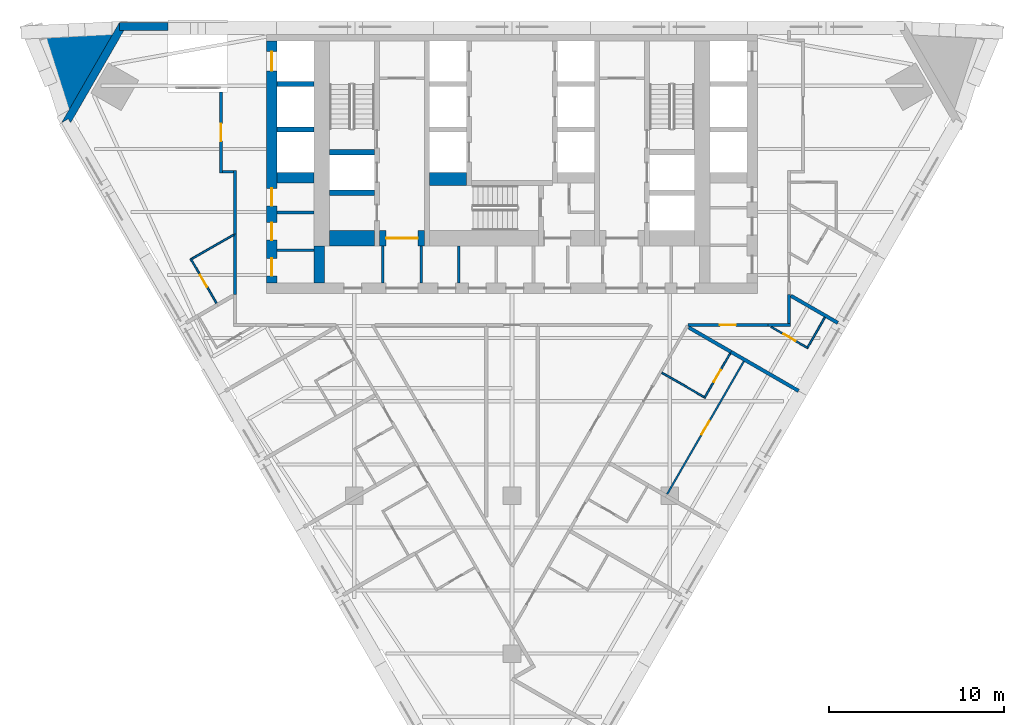
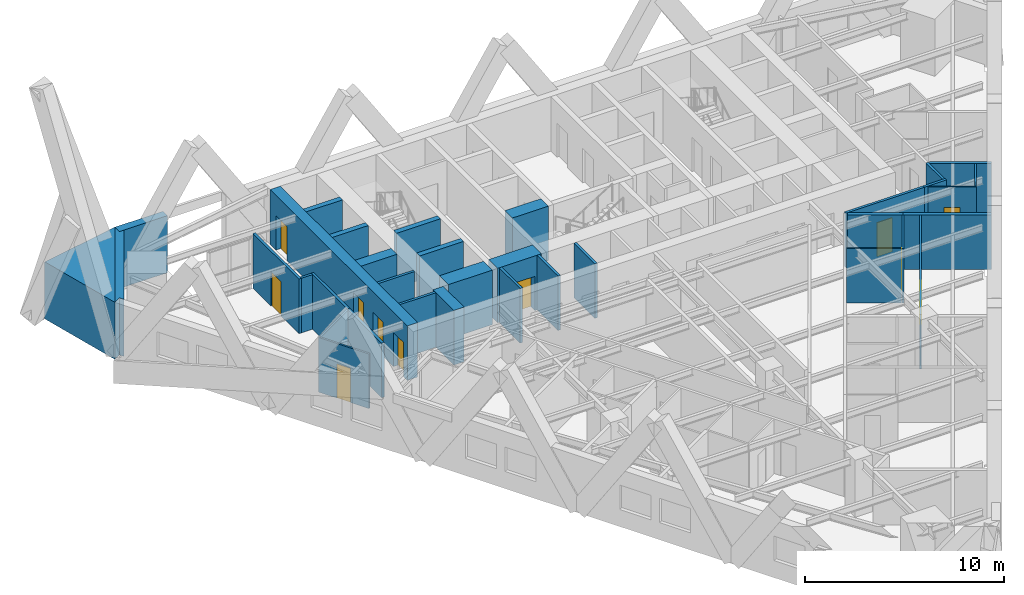
# One storey, part 6 of 11: 35 walls, 11 doors, 11 openings.
"""IFC4 building model written with IfcOpenShell, lengths in metres."""

from ifc_helpers import new_model, si_unit, direction, frame, frame_2d, origin, place, context, subcontext, project, spatial, polyline, rectangle, outline, extrude, material, layer, layer_set, type_object, element, fill, save


model = new_model("IFC4")

# Units and contexts
model_context = context("Model", 3, precision=1e-05, world=origin(), true_north=direction((0.0, 1.0)))
body_context = subcontext(model_context, "Body", "Model", "MODEL_VIEW")
ifc_project = project(units=[si_unit("LENGTHUNIT", "METRE"), si_unit("AREAUNIT", "SQUARE_METRE"), si_unit("VOLUMEUNIT", "CUBIC_METRE"), si_unit("PLANEANGLEUNIT", "RADIAN"), si_unit("MASSUNIT", "GRAM", prefix="KILO")], contexts=[model_context])

# Site, building, storey
site_placement = place(None, origin())
site = spatial("IfcSite", under=ifc_project, at=site_placement, CompositionType="ELEMENT")
building_placement = place(site_placement, origin())
building = spatial("IfcBuilding", under=site, at=building_placement, Name="Aloe Facet Convention Tower", CompositionType="ELEMENT")
storey_placement = place(building_placement, frame((0.0, 0.0, 49.0)))
storey = spatial("IfcBuildingStorey", under=building, at=storey_placement, Name="L10", CompositionType="ELEMENT", Elevation=49.0)

# Walls
ifc_material_1 = material(Name="Concrete blockwork partition", Category="masonry")
ifc_layer_1 = layer(ifc_material_1, 0.14990234375)
ifc_layer_set_1 = layer_set([ifc_layer_1], Name="CR-W-PART150")
wall_type_1 = type_object("IfcWallType", Name="CR-W-PART150", PredefinedType="PARTITIONING", material=ifc_layer_set_1)
for number, where, z_axis, x_axis, name in (
    (1, (66.60009765625, 124.16455078125, 0.0), (0.0, 0.0, 1.0), (1.0, 0.0, 0.0), "Core partition L10-007"),
    (2, (66.60009765625, 122.02490234375, 0.0), (0.0, 0.0, 1.0), (1.0, 0.0, 0.0), "Core partition L10-008"),
):
    element("IfcWall", number, at=place(storey_placement, frame(where, z_axis=z_axis, x_axis=x_axis)), inside=storey, type_object=wall_type_1, Name=name, PredefinedType="PARTITIONING", context=body_context, shape_type="SweptSolid", body=[
        extrude(rectangle(XDim=2.099853515625, YDim=0.14990234375, at=frame_2d((1.0498046875, 0.0))), origin(), (0.0, 0.0, 1.0), 3.35009765625),
    ])
for number, where, z_axis, x_axis, name in (
    (3, (72.625, 122.25, 0.0), (0.0, 0.0, 1.0), (0.0, -1.0, 0.0), "Core partition L10-017"),
    (4, (74.824951171875, 122.25, 0.0), (0.0, 0.0, 1.0), (0.0, -1.0, 0.0), "Core partition L10-018"),
    (5, (76.958251953125, 122.25, 0.0), (0.0, 0.0, 1.0), (0.0, -1.0, 0.0), "Core partition L10-024"),
):
    element("IfcWall", number, at=place(storey_placement, frame(where, z_axis=z_axis, x_axis=x_axis)), inside=storey, type_object=wall_type_1, Name=name, PredefinedType="PARTITIONING", context=body_context, shape_type="SweptSolid", body=[
        extrude(rectangle(XDim=2.10009765625, YDim=0.14990234375, at=frame_2d((1.050048828125, 0.0))), origin(), (0.0, 0.0, 1.0), 3.35009765625),
    ])
ifc_material_2 = material(Name="Concrete C80/95", Category="concrete")
ifc_layer_2 = layer(ifc_material_2, 0.300048828125)
ifc_layer_set_2 = layer_set([ifc_layer_2], Name="CR-W-RC300-C8095")
wall_type_2 = type_object("IfcWallType", Name="CR-W-RC300-C8095", PredefinedType="SOLIDWALL", material=ifc_layer_set_2)
for number, where, z_axis, x_axis, name in (
    (6, (66.60009765625, 131.5, 0.0), (0.0, 0.0, 1.0), (1.0, 0.0, 0.0), "Core wall L10-004"),
    (7, (66.60009765625, 128.89990234375, 0.0), (0.0, 0.0, 1.0), (1.0, 0.0, 0.0), "Core wall L10-005"),
):
    element("IfcWall", number, at=place(storey_placement, frame(where, z_axis=z_axis, x_axis=x_axis)), inside=storey, type_object=wall_type_2, Name=name, PredefinedType="SOLIDWALL", context=body_context, shape_type="SweptSolid", body=[
        extrude(rectangle(XDim=2.099853515625, YDim=0.300048828125, at=frame_2d((1.0498046875, 0.0))), origin(), (0.0, 0.0, 1.0), 3.35009765625),
    ])
for number, where, z_axis, x_axis, name in (
    (8, (69.60009765625, 127.60009765625, 0.0), (0.0, 0.0, 1.0), (1.0, 0.0, 0.0), "Core wall L10-011"),
    (9, (69.60009765625, 125.300048828125, 0.0), (0.0, 0.0, 1.0), (1.0, 0.0, 0.0), "Core wall L10-012"),
):
    element("IfcWall", number, at=place(storey_placement, frame(where, z_axis=z_axis, x_axis=x_axis)), inside=storey, type_object=wall_type_2, Name=name, PredefinedType="SOLIDWALL", context=body_context, shape_type="SweptSolid", body=[
        extrude(rectangle(XDim=2.5498046875, YDim=0.300048828125, at=frame_2d((1.27490234375, 0.0))), origin(), (0.0, 0.0, 1.0), 3.35009765625),
    ])

# Wall, openings, doors
ifc_material_3 = material(Name="Concrete C80/95", Category="concrete")
ifc_layer_3 = layer(ifc_material_3, 0.60009765625)
ifc_layer_set_3 = layer_set([ifc_layer_3], Name="CR-W-RC600-C8095")
wall_type_3 = type_object("IfcWallType", Name="CR-W-RC600-C8095", PredefinedType="SOLIDWALL", material=ifc_layer_set_3)
wall_1_placement = place(storey_placement, frame((66.300048828125, 133.949951171875, 0.0), z_axis=(0.0, 0.0, 1.0), x_axis=(0.0, -1.0, 0.0)))
wall_1 = element("IfcWall", 10, at=wall_1_placement, inside=storey, type_object=wall_type_3, Name="Core wall L10-002", PredefinedType="SOLIDWALL", context=body_context, shape_type="SweptSolid", body=[
    extrude(rectangle(XDim=13.800048828125, YDim=0.60009765625, at=frame_2d((6.89990234375, 0.0))), origin(), (0.0, 0.0, 1.0), 3.35009765625),
])
opening_1_placement = place(wall_1_placement, frame((0.60009765625, 0.0, 0.0)))
opening_1 = element("IfcOpeningElement", 11, at=opening_1_placement, cuts=wall_1, Name="Opening LD-A7-L10", PredefinedType="OPENING", context=body_context, shape_type="SweptSolid", body=[
    extrude(rectangle(XDim=1.10009765625, YDim=2.10009765625, at=frame_2d((0.550048828125, 1.050048828125))), frame((0.0, 0.31005859375, 0.0), z_axis=(0.0, -1.0, 0.0), x_axis=(1.0, 0.0, 0.0)), (0.0, 0.0, 1.0), 0.6201171875),
])
opening_2_placement = place(wall_1_placement, frame((8.4052734375, 0.0, 0.0)))
opening_2 = element("IfcOpeningElement", 12, at=opening_2_placement, cuts=wall_1, Name="Opening L10-CD35", PredefinedType="OPENING", context=body_context, shape_type="SweptSolid", body=[
    extrude(rectangle(XDim=1.0, YDim=2.10009765625, at=frame_2d((0.5, 1.050048828125))), frame((0.0, 0.31005859375, 0.0), z_axis=(0.0, -1.0, 0.0), x_axis=(1.0, 0.0, 0.0)), (0.0, 0.0, 1.0), 0.6201171875),
])
opening_3_placement = place(wall_1_placement, frame((10.355224609375, 0.0, 0.0)))
opening_3 = element("IfcOpeningElement", 13, at=opening_3_placement, cuts=wall_1, Name="Opening L10-CD36", PredefinedType="OPENING", context=body_context, shape_type="SweptSolid", body=[
    extrude(rectangle(XDim=1.0, YDim=2.10009765625, at=frame_2d((0.5, 1.050048828125))), frame((0.0, 0.31005859375, 0.0), z_axis=(0.0, -1.0, 0.0), x_axis=(1.0, 0.0, 0.0)), (0.0, 0.0, 1.0), 0.6201171875),
])
opening_4_placement = place(wall_1_placement, frame((12.39990234375, 0.0, 0.0)))
opening_4 = element("IfcOpeningElement", 14, at=opening_4_placement, cuts=wall_1, Name="Opening L10-CD37", PredefinedType="OPENING", context=body_context, shape_type="SweptSolid", body=[
    extrude(rectangle(XDim=1.0, YDim=2.10009765625, at=frame_2d((0.5, 1.050048828125))), frame((0.0, 0.31005859375, 0.0), z_axis=(0.0, -1.0, 0.0), x_axis=(1.0, 0.0, 0.0)), (0.0, 0.0, 1.0), 0.6201171875),
])
ifc_material_4 = material(Name="Steel fire-resisting door set FD60", Category="steel")
door_type_1 = type_object("IfcDoorType", Name="CR-D-ROOM-1000-FD60-SLEFT", OperationType="SINGLE_SWING_LEFT", PredefinedType="DOOR", material=ifc_material_4)
door_1_placement = place(opening_2_placement, origin())
door_1 = element("IfcDoor", 15, at=door_1_placement, inside=storey, type_object=door_type_1, Name="Core door L10-CD35", OperationType="SINGLE_SWING_LEFT", OverallHeight=2.10009765625, OverallWidth=1.0, PredefinedType="DOOR", context=body_context, shape_type="SweptSolid", body=[
    extrude(rectangle(XDim=1.0, YDim=2.10009765625, at=frame_2d((0.5, 1.050048828125))), frame((0.0, 0.02490234375, 0.0), z_axis=(0.0, -1.0, 0.0), x_axis=(1.0, 0.0, 0.0)), (0.0, 0.0, 1.0), 0.050048828125),
])
fill(opening_2, door_1)
door_2_placement = place(opening_3_placement, origin())
door_2 = element("IfcDoor", 16, at=door_2_placement, inside=storey, type_object=door_type_1, Name="Core door L10-CD36", OperationType="SINGLE_SWING_LEFT", OverallHeight=2.10009765625, OverallWidth=1.0, PredefinedType="DOOR", context=body_context, shape_type="SweptSolid", body=[
    extrude(rectangle(XDim=1.0, YDim=2.10009765625, at=frame_2d((0.5, 1.050048828125))), frame((0.0, 0.02490234375, 0.0), z_axis=(0.0, -1.0, 0.0), x_axis=(1.0, 0.0, 0.0)), (0.0, 0.0, 1.0), 0.050048828125),
])
fill(opening_3, door_2)
door_3_placement = place(opening_4_placement, origin())
door_3 = element("IfcDoor", 17, at=door_3_placement, inside=storey, type_object=door_type_1, Name="Core door L10-CD37", OperationType="SINGLE_SWING_LEFT", OverallHeight=2.10009765625, OverallWidth=1.0, PredefinedType="DOOR", context=body_context, shape_type="SweptSolid", body=[
    extrude(rectangle(XDim=1.0, YDim=2.10009765625, at=frame_2d((0.5, 1.050048828125))), frame((0.0, 0.02490234375, 0.0), z_axis=(0.0, -1.0, 0.0), x_axis=(1.0, 0.0, 0.0)), (0.0, 0.0, 1.0), 0.050048828125),
])
fill(opening_4, door_3)
ifc_material_5 = material(Name="Stainless steel sliding landing door", Category="steel")
door_type_2 = type_object("IfcDoorType", Name="CR-LD-1100-FD60-_LEFT", OperationType="SLIDING_TO_LEFT", PredefinedType="DOOR", material=ifc_material_5)
door_4_placement = place(opening_1_placement, origin())
door_4 = element("IfcDoor", 18, at=door_4_placement, inside=storey, type_object=door_type_2, Name="Landing door A7 L10", OperationType="SLIDING_TO_LEFT", OverallHeight=2.10009765625, OverallWidth=1.10009765625, PredefinedType="DOOR", context=body_context, shape_type="SweptSolid", body=[
    extrude(rectangle(XDim=1.10009765625, YDim=2.10009765625, at=frame_2d((0.550048828125, 1.050048828125))), frame((0.0, 0.02490234375, 0.0), z_axis=(0.0, -1.0, 0.0), x_axis=(1.0, 0.0, 0.0)), (0.0, 0.0, 1.0), 0.050048828125),
])
fill(opening_1, door_4)

# Walls
wall_2_placement = place(storey_placement, frame((66.60009765625, 126.14990234375, 0.0), z_axis=(0.0, 0.0, 1.0), x_axis=(1.0, 0.0, 0.0)))
element("IfcWall", 19, at=wall_2_placement, inside=storey, type_object=wall_type_3, Name="Core wall L10-006", PredefinedType="SOLIDWALL", context=body_context, shape_type="SweptSolid", body=[
    extrude(rectangle(XDim=2.099853515625, YDim=0.60009765625, at=frame_2d((1.0498046875, 0.0))), origin(), (0.0, 0.0, 1.0), 3.35009765625),
])
wall_3_placement = place(storey_placement, frame((69.0, 122.25, 0.0), z_axis=(0.0, 0.0, 1.0), x_axis=(0.0, -1.0, 0.0)))
element("IfcWall", 20, at=wall_3_placement, inside=storey, type_object=wall_type_3, Name="Core wall L10-010", PredefinedType="SOLIDWALL", context=body_context, shape_type="SweptSolid", body=[
    extrude(rectangle(XDim=2.10009765625, YDim=0.60009765625, at=frame_2d((1.050048828125, 0.0))), origin(), (0.0, 0.0, 1.0), 3.35009765625),
])
ifc_material_6 = material(Name="Concrete C80/95", Category="concrete")
ifc_layer_4 = layer(ifc_material_6, 0.75)
ifc_layer_set_4 = layer_set([ifc_layer_4], Name="CR-W-RC750-C8095")
wall_type_4 = type_object("IfcWallType", Name="CR-W-RC750-C8095", PredefinedType="SOLIDWALL", material=ifc_layer_set_4)
wall_4_placement = place(storey_placement, frame((75.300048828125, 126.074951171875, 0.0), z_axis=(0.0, 0.0, 1.0), x_axis=(1.0, 0.0, 0.0)))
element("IfcWall", 21, at=wall_4_placement, inside=storey, type_object=wall_type_4, Name="Core wall L10-022", PredefinedType="SOLIDWALL", context=body_context, shape_type="SweptSolid", body=[
    extrude(rectangle(XDim=2.099853515625, YDim=0.75, at=frame_2d((1.0498046875, 0.0))), origin(), (0.0, 0.0, 1.0), 3.35009765625),
])
ifc_material_7 = material(Name="Concrete C80/95", Category="concrete")
ifc_layer_5 = layer(ifc_material_7, 0.89990234375)
ifc_layer_set_5 = layer_set([ifc_layer_5], Name="CR-W-RC900-C8095")
wall_type_5 = type_object("IfcWallType", Name="CR-W-RC900-C8095", PredefinedType="SOLIDWALL", material=ifc_layer_set_5)
wall_5_placement = place(storey_placement, frame((69.60009765625, 122.699951171875, 0.0), z_axis=(0.0, 0.0, 1.0), x_axis=(1.0, 0.0, 0.0)))
element("IfcWall", 22, at=wall_5_placement, inside=storey, type_object=wall_type_5, Name="Core wall L10-013", PredefinedType="SOLIDWALL", context=body_context, shape_type="SweptSolid", body=[
    extrude(rectangle(XDim=2.5498046875, YDim=0.89990234375, at=frame_2d((1.27490234375, 0.0))), origin(), (0.0, 0.0, 1.0), 3.35009765625),
])

# Wall, opening, door
wall_6_placement = place(storey_placement, frame((72.449951171875, 122.699951171875, 0.0), z_axis=(0.0, 0.0, 1.0), x_axis=(1.0, 0.0, 0.0)))
wall_6 = element("IfcWall", 23, at=wall_6_placement, inside=storey, type_object=wall_type_5, Name="Core wall L10-016", PredefinedType="SOLIDWALL", context=body_context, shape_type="SweptSolid", body=[
    extrude(rectangle(XDim=2.550048828125, YDim=0.89990234375, at=frame_2d((1.27490234375, 0.0))), origin(), (0.0, 0.0, 1.0), 3.35009765625),
])
opening_5_placement = place(wall_6_placement, frame((0.375, 0.0, 0.0)))
opening_5 = element("IfcOpeningElement", 24, at=opening_5_placement, cuts=wall_6, Name="Opening L10-CD15", PredefinedType="OPENING", context=body_context, shape_type="SweptSolid", body=[
    extrude(rectangle(XDim=1.800048828125, YDim=2.10009765625, at=frame_2d((0.89990234375, 1.050048828125))), frame((0.0, 0.4599609375, 0.0), z_axis=(0.0, -1.0, 0.0), x_axis=(1.0, 0.0, 0.0)), (0.0, 0.0, 1.0), 0.919921875),
])
ifc_material_8 = material(Name="Steel fire-resisting door set FD120", Category="steel")
door_type_3 = type_object("IfcDoorType", Name="CR-D-EXIT-1800-FD120-DD", OperationType="DOUBLE_DOOR_DOUBLE_SWING", PredefinedType="DOOR", material=ifc_material_8)
door_5_placement = place(opening_5_placement, origin())
door_5 = element("IfcDoor", 25, at=door_5_placement, inside=storey, type_object=door_type_3, Name="Core door L10-CD15", OperationType="DOUBLE_DOOR_DOUBLE_SWING", OverallHeight=2.10009765625, OverallWidth=1.800048828125, PredefinedType="DOOR", context=body_context, shape_type="SweptSolid", body=[
    extrude(rectangle(XDim=1.800048828125, YDim=2.10009765625, at=frame_2d((0.89990234375, 1.050048828125))), frame((0.0, 0.02490234375, 0.0), z_axis=(0.0, -1.0, 0.0), x_axis=(1.0, 0.0, 0.0)), (0.0, 0.0, 1.0), 0.050048828125),
])
fill(opening_5, door_5)

# Walls
ifc_material_9 = material(Name="Precast concrete C40/50", Category="concrete")
ifc_layer_6 = layer(ifc_material_9, 0.449951171875)
ifc_layer_set_6 = layer_set([ifc_layer_6], Name="EV-WALL-PIER")
wall_type_6 = type_object("IfcWallType", Name="EV-WALL-PIER", PredefinedType="SOLIDWALL", material=ifc_layer_set_6)
wall_7_placement = place(storey_placement, frame((0.0, 0.0, -0.14990234375)))
element("IfcWall", 26, at=wall_7_placement, inside=storey, type_object=wall_type_6, Name="EP-L10-A", PredefinedType="SOLIDWALL", context=body_context, shape_type="SweptSolid", body=[
    extrude(outline(polyline([(57.60009765625, 135.0), (57.60009765625, 134.550048828125), (57.85986328125, 134.550048828125), (54.819580078125, 129.2841796875), (54.689697265625, 129.50927734375), (54.300048828125, 129.2841796875), (57.60009765625, 135.0)])), origin(), (0.0, 0.0, 1.0), 3.5),
])
ifc_material_10 = material(Name="Precast concrete C40/50", Category="concrete")
ifc_layer_7 = layer(ifc_material_10, 3.947998046875)
ifc_layer_set_7 = layer_set([ifc_layer_7], Name="EV-WALL-SPINE")
wall_type_7 = type_object("IfcWallType", Name="EV-WALL-SPINE", PredefinedType="SOLIDWALL", material=ifc_layer_set_7)
wall_8_placement = place(storey_placement, frame((0.0, 0.0, -0.14990234375)))
element("IfcWall", 27, at=wall_8_placement, inside=storey, type_object=wall_type_7, Name="SP-NW-L10", PredefinedType="SOLIDWALL", context=body_context, shape_type="SweptSolid", body=[
    extrude(outline(polyline([(57.60009765625, 135.0), (53.01904296875, 134.13623046875), (54.300048828125, 129.2841796875), (57.60009765625, 135.0)])), origin(), (0.0, 0.0, 1.0), 3.5),
])
ifc_material_11 = material(Name="Precast concrete C40/50", Category="concrete")
ifc_layer_8 = layer(ifc_material_11, 0.449951171875)
ifc_layer_set_8 = layer_set([ifc_layer_8], Name="EV-WALL-STONE")
wall_type_8 = type_object("IfcWallType", Name="EV-WALL-STONE", PredefinedType="SOLIDWALL", material=ifc_layer_set_8)
wall_9_placement = place(storey_placement, frame((60.3798828125, 134.77490234375, -0.14990234375), z_axis=(0.0, 0.0, 1.0), x_axis=(-1.0, 0.0, 0.0)))
element("IfcWall", 28, at=wall_9_placement, inside=storey, type_object=wall_type_8, Name="EW-L10-N02", PredefinedType="SOLIDWALL", context=body_context, shape_type="SweptSolid", body=[
    extrude(outline(polyline([(2.780029296875, 3.5), (2.780029296875, 0.0), (0.0, 0.0), (0.0, 3.5), (2.780029296875, 3.5)])), frame((0.0, 0.22509765625, 0.0), z_axis=(0.0, -1.0, 0.0), x_axis=(1.0, 0.0, 0.0)), (0.0, 0.0, 1.0), 0.449951171875),
])
ifc_material_12 = material(Name="Gypsum board partition on steel studs", Category="steel")
ifc_layer_9 = layer(ifc_material_12, 0.14990234375)
ifc_layer_set_9 = layer_set([ifc_layer_9], Name="IN-W-CORR")
wall_type_9 = type_object("IfcWallType", Name="IN-W-CORR", PredefinedType="PARTITIONING", material=ifc_layer_set_9)
wall_10_placement = place(storey_placement, frame((94.597900390625, 117.75, 0.0), z_axis=(0.0, 0.0, 1.0), x_axis=(1.0, 0.0, 0.0)))
element("IfcWall", 29, at=wall_10_placement, inside=storey, type_object=wall_type_9, Name="Partition L10-W078", PredefinedType="PARTITIONING", context=body_context, shape_type="SweptSolid", body=[
    extrude(rectangle(XDim=1.277099609375, YDim=0.14990234375, at=frame_2d((0.638671875, 0.0))), origin(), (0.0, 0.0, 1.0), 3.35009765625),
])

# Wall, opening, door
wall_11_placement = place(storey_placement, frame((90.033935546875, 117.75, 0.0), z_axis=(0.0, 0.0, 1.0), x_axis=(1.0, 0.0, 0.0)))
wall_11 = element("IfcWall", 30, at=wall_11_placement, inside=storey, type_object=wall_type_9, Name="Partition L10-W079", PredefinedType="PARTITIONING", context=body_context, shape_type="SweptSolid", body=[
    extrude(rectangle(XDim=4.56396484375, YDim=0.14990234375, at=frame_2d((2.281982421875, 0.0))), origin(), (0.0, 0.0, 1.0), 3.35009765625),
])
opening_6_placement = place(wall_11_placement, frame((1.83203125, 0.0, 0.0)))
opening_6 = element("IfcOpeningElement", 31, at=opening_6_placement, cuts=wall_11, Name="Opening L10-010", PredefinedType="OPENING", context=body_context, shape_type="SweptSolid", body=[
    extrude(rectangle(XDim=0.89990234375, YDim=2.10009765625, at=frame_2d((0.449951171875, 1.050048828125))), frame((0.0, 0.0849609375, 0.0), z_axis=(0.0, -1.0, 0.0), x_axis=(1.0, 0.0, 0.0)), (0.0, 0.0, 1.0), 0.169921875),
])
ifc_material_13 = material(Name="Hardwood flush door FD30S", Category="wood")
door_type_4 = type_object("IfcDoorType", Name="IN-D-GUEST", OperationType="SINGLE_SWING_LEFT", PredefinedType="DOOR", material=ifc_material_13)
door_6_placement = place(opening_6_placement, origin())
door_6 = element("IfcDoor", 32, at=door_6_placement, inside=storey, type_object=door_type_4, Name="Door L10-010", OperationType="SINGLE_SWING_LEFT", OverallHeight=2.10009765625, OverallWidth=0.89990234375, PredefinedType="DOOR", context=body_context, shape_type="SweptSolid", body=[
    extrude(rectangle(XDim=0.89990234375, YDim=2.10009765625, at=frame_2d((0.449951171875, 1.050048828125))), frame((0.0, 0.02490234375, 0.0), z_axis=(0.0, -1.0, 0.0), x_axis=(1.0, 0.0, 0.0)), (0.0, 0.0, 1.0), 0.050048828125),
])
fill(opening_6, door_6)

# Walls
wall_12_placement = place(storey_placement, frame((95.800048828125, 117.824951171875, 0.0), z_axis=(0.0, 0.0, 1.0), x_axis=(0.0, 1.0, 0.0)))
element("IfcWall", 33, at=wall_12_placement, inside=storey, type_object=wall_type_9, Name="Partition L10-W080", PredefinedType="PARTITIONING", context=body_context, shape_type="SweptSolid", body=[
    extrude(rectangle(XDim=1.65576171875, YDim=0.14990234375, at=frame_2d((0.827880859375, 0.0))), origin(), (0.0, 0.0, 1.0), 3.35009765625),
])
wall_13_placement = place(storey_placement, frame((64.199951171875, 122.94482421875, 0.0), z_axis=(0.0, 0.0, 1.0), x_axis=(0.0, 1.0, 0.0)))
element("IfcWall", 34, at=wall_13_placement, inside=storey, type_object=wall_type_9, Name="Partition L10-W094", PredefinedType="PARTITIONING", context=body_context, shape_type="SweptSolid", body=[
    extrude(rectangle(XDim=3.630126953125, YDim=0.14990234375, at=frame_2d((1.81494140625, 0.0))), origin(), (0.0, 0.0, 1.0), 3.35009765625),
])
wall_14_placement = place(storey_placement, frame((64.199951171875, 119.480712890625, 0.0), z_axis=(0.0, 0.0, 1.0), x_axis=(0.0, 1.0, 0.0)))
element("IfcWall", 35, at=wall_14_placement, inside=storey, type_object=wall_type_9, Name="Partition L10-W095", PredefinedType="PARTITIONING", context=body_context, shape_type="SweptSolid", body=[
    extrude(rectangle(XDim=3.464111328125, YDim=0.14990234375, at=frame_2d((1.73193359375, 0.0))), origin(), (0.0, 0.0, 1.0), 3.35009765625),
])

# Wall, opening, door
wall_15_placement = place(storey_placement, frame((63.39990234375, 126.425048828125, 0.0), z_axis=(0.0, 0.0, 1.0), x_axis=(0.0, 1.0, 0.0)))
wall_15 = element("IfcWall", 36, at=wall_15_placement, inside=storey, type_object=wall_type_9, Name="Partition L10-W105", PredefinedType="PARTITIONING", context=body_context, shape_type="SweptSolid", body=[
    extrude(rectangle(XDim=4.625, YDim=0.14990234375, at=frame_2d((2.3125, 0.0))), origin(), (0.0, 0.0, 1.0), 3.35009765625),
])
opening_7_placement = place(wall_15_placement, frame((1.8125, 0.0, 0.0)))
opening_7 = element("IfcOpeningElement", 37, at=opening_7_placement, cuts=wall_15, Name="Opening L10-002", PredefinedType="OPENING", context=body_context, shape_type="SweptSolid", body=[
    extrude(rectangle(XDim=1.0, YDim=2.10009765625, at=frame_2d((0.5, 1.050048828125))), frame((0.0, 0.0849609375, 0.0), z_axis=(0.0, -1.0, 0.0), x_axis=(1.0, 0.0, 0.0)), (0.0, 0.0, 1.0), 0.169921875),
])
ifc_material_14 = material(Name="Hardwood flush door FD30S", Category="wood")
door_type_5 = type_object("IfcDoorType", Name="IN-D-WIDE", OperationType="SINGLE_SWING_LEFT", PredefinedType="DOOR", material=ifc_material_14)
door_7_placement = place(opening_7_placement, origin())
door_7 = element("IfcDoor", 38, at=door_7_placement, inside=storey, type_object=door_type_5, Name="Door L10-002", OperationType="SINGLE_SWING_LEFT", OverallHeight=2.10009765625, OverallWidth=1.0, PredefinedType="DOOR", context=body_context, shape_type="SweptSolid", body=[
    extrude(rectangle(XDim=1.0, YDim=2.10009765625, at=frame_2d((0.5, 1.050048828125))), frame((0.0, 0.02490234375, 0.0), z_axis=(0.0, -1.0, 0.0), x_axis=(1.0, 0.0, 0.0)), (0.0, 0.0, 1.0), 0.050048828125),
])
fill(opening_7, door_7)

# Wall
wall_16_placement = place(storey_placement, frame((63.47509765625, 126.5, 0.0), z_axis=(0.0, 0.0, 1.0), x_axis=(1.0, 0.0, 0.0)))
element("IfcWall", 39, at=wall_16_placement, inside=storey, type_object=wall_type_9, Name="Partition L10-W106", PredefinedType="PARTITIONING", context=body_context, shape_type="SweptSolid", body=[
    extrude(rectangle(XDim=0.64990234375, YDim=0.14990234375, at=frame_2d((0.324951171875, 0.0))), origin(), (0.0, 0.0, 1.0), 3.35009765625),
])

# Wall, opening, door
ifc_material_15 = material(Name="Gypsum board partition on steel studs", Category="steel")
ifc_layer_10 = layer(ifc_material_15, 0.10009765625)
ifc_layer_set_10 = layer_set([ifc_layer_10], Name="IN-W-PART")
wall_type_10 = type_object("IfcWallType", Name="IN-W-PART", PredefinedType="PARTITIONING", material=ifc_layer_set_10)
wall_17_placement = place(storey_placement, frame((90.971435546875, 113.57373046875, 0.0), z_axis=(0.0, 0.0, 1.0), x_axis=(0.499988418424, 0.866032090307, 0.0)))
wall_17 = element("IfcWall", 40, at=wall_17_placement, inside=storey, type_object=wall_type_10, Name="Partition L10-W048", PredefinedType="PARTITIONING", context=body_context, shape_type="SweptSolid", body=[
    extrude(rectangle(XDim=2.93994140625, YDim=0.10009765625, at=frame_2d((1.469970703125, 0.0))), origin(), (0.0, 0.0, 1.0), 3.35009765625),
])
opening_8_placement = place(wall_17_placement, frame((1.070068359375, 0.0, 0.0)))
opening_8 = element("IfcOpeningElement", 41, at=opening_8_placement, cuts=wall_17, Name="Opening L10-025", PredefinedType="OPENING", context=body_context, shape_type="SweptSolid", body=[
    extrude(rectangle(XDim=0.800048828125, YDim=2.10009765625, at=frame_2d((0.39990234375, 1.050048828125))), frame((0.0, 0.06005859375, 0.0), z_axis=(0.0, -1.0, 0.0), x_axis=(1.0, 0.0, 0.0)), (0.0, 0.0, 1.0), 0.1201171875),
])
ifc_material_16 = material(Name="Timber flush door", Category="wood")
door_type_6 = type_object("IfcDoorType", Name="IN-D-BATH", OperationType="SINGLE_SWING_LEFT", PredefinedType="DOOR", material=ifc_material_16)
door_8_placement = place(opening_8_placement, origin())
door_8 = element("IfcDoor", 42, at=door_8_placement, inside=storey, type_object=door_type_6, Name="Door L10-025", OperationType="SINGLE_SWING_LEFT", OverallHeight=2.10009765625, OverallWidth=0.800048828125, PredefinedType="DOOR", context=body_context, shape_type="SweptSolid", body=[
    extrude(rectangle(XDim=0.800048828125, YDim=2.10009765625, at=frame_2d((0.39990234375, 1.050048828125))), frame((0.0, 0.02490234375, 0.0), z_axis=(0.0, -1.0, 0.0), x_axis=(1.0, 0.0, 0.0)), (0.0, 0.0, 1.0), 0.050048828125),
])
fill(opening_8, door_8)

# Wall
wall_18_placement = place(storey_placement, frame((88.550048828125, 115.029541015625, 0.0), z_axis=(0.0, 0.0, 1.0), x_axis=(0.866012076814, -0.50002308228, 0.0)))
element("IfcWall", 43, at=wall_18_placement, inside=storey, type_object=wall_type_10, Name="Partition L10-W056", PredefinedType="PARTITIONING", context=body_context, shape_type="SweptSolid", body=[
    extrude(rectangle(XDim=2.764892578125, YDim=0.10009765625, at=frame_2d((1.38232421875, 0.0))), origin(), (0.0, 0.0, 1.0), 3.35009765625),
])

# Wall, opening, door
wall_19_placement = place(storey_placement, frame((88.850830078125, 108.100830078125, 0.0), z_axis=(0.0, 0.0, 1.0), x_axis=(0.500004234368, 0.866022959057, 0.0)))
wall_19 = element("IfcWall", 44, at=wall_19_placement, inside=storey, type_object=wall_type_10, Name="Partition L10-W058", PredefinedType="PARTITIONING", context=body_context, shape_type="SweptSolid", body=[
    extrude(rectangle(XDim=8.75, YDim=0.10009765625, at=frame_2d((4.375, 0.0))), origin(), (0.0, 0.0, 1.0), 3.35009765625),
])
opening_9_placement = place(wall_19_placement, frame((3.925048828125, 0.0, 0.0)))
opening_9 = element("IfcOpeningElement", 45, at=opening_9_placement, cuts=wall_19, Name="Opening L10-026", PredefinedType="OPENING", context=body_context, shape_type="SweptSolid", body=[
    extrude(rectangle(XDim=0.89990234375, YDim=2.10009765625, at=frame_2d((0.449951171875, 1.050048828125))), frame((0.0, 0.06005859375, 0.0), z_axis=(0.0, -1.0, 0.0), x_axis=(1.0, 0.0, 0.0)), (0.0, 0.0, 1.0), 0.1201171875),
])
ifc_material_17 = material(Name="Timber flush door", Category="wood")
door_type_7 = type_object("IfcDoorType", Name="IN-D-INT", OperationType="SINGLE_SWING_LEFT", PredefinedType="DOOR", material=ifc_material_17)
door_9_placement = place(opening_9_placement, origin())
door_9 = element("IfcDoor", 46, at=door_9_placement, inside=storey, type_object=door_type_7, Name="Door L10-026", OperationType="SINGLE_SWING_LEFT", OverallHeight=2.10009765625, OverallWidth=0.89990234375, PredefinedType="DOOR", context=body_context, shape_type="SweptSolid", body=[
    extrude(rectangle(XDim=0.89990234375, YDim=2.10009765625, at=frame_2d((0.449951171875, 1.050048828125))), frame((0.0, 0.02490234375, 0.0), z_axis=(0.0, -1.0, 0.0), x_axis=(1.0, 0.0, 0.0)), (0.0, 0.0, 1.0), 0.050048828125),
])
fill(opening_9, door_9)

wall_20_placement = place(storey_placement, frame((94.775390625, 117.6474609375, 0.0), z_axis=(0.0, 0.0, 1.0), x_axis=(0.86604092097, -0.499973122483, 0.0)))
wall_20 = element("IfcWall", 47, at=wall_20_placement, inside=storey, type_object=wall_type_10, Name="Partition L10-W064", PredefinedType="PARTITIONING", context=body_context, shape_type="SweptSolid", body=[
    extrude(rectangle(XDim=2.445068359375, YDim=0.10009765625, at=frame_2d((1.22265625, 0.0))), origin(), (0.0, 0.0, 1.0), 3.35009765625),
])
opening_10_placement = place(wall_20_placement, frame((0.822509765625, 0.0, 0.0)))
opening_10 = element("IfcOpeningElement", 48, at=opening_10_placement, cuts=wall_20, Name="Opening L10-027", PredefinedType="OPENING", context=body_context, shape_type="SweptSolid", body=[
    extrude(rectangle(XDim=0.800048828125, YDim=2.10009765625, at=frame_2d((0.39990234375, 1.050048828125))), frame((0.0, 0.06005859375, 0.0), z_axis=(0.0, -1.0, 0.0), x_axis=(1.0, 0.0, 0.0)), (0.0, 0.0, 1.0), 0.1201171875),
])
door_10_placement = place(opening_10_placement, origin())
door_10 = element("IfcDoor", 49, at=door_10_placement, inside=storey, type_object=door_type_6, Name="Door L10-027", OperationType="SINGLE_SWING_LEFT", OverallHeight=2.10009765625, OverallWidth=0.800048828125, PredefinedType="DOOR", context=body_context, shape_type="SweptSolid", body=[
    extrude(rectangle(XDim=0.800048828125, YDim=2.10009765625, at=frame_2d((0.39990234375, 1.050048828125))), frame((0.0, 0.02490234375, 0.0), z_axis=(0.0, -1.0, 0.0), x_axis=(1.0, 0.0, 0.0)), (0.0, 0.0, 1.0), 0.050048828125),
])
fill(opening_10, door_10)

# Wall
wall_21_placement = place(storey_placement, frame((96.87451171875, 116.493408203125, 0.0), z_axis=(0.0, 0.0, 1.0), x_axis=(0.500043961785, 0.866000020948, 0.0)))
element("IfcWall", 50, at=wall_21_placement, inside=storey, type_object=wall_type_10, Name="Partition L10-W084", PredefinedType="PARTITIONING", context=body_context, shape_type="SweptSolid", body=[
    extrude(rectangle(XDim=1.949951171875, YDim=0.10009765625, at=frame_2d((0.97509765625, 0.0))), origin(), (0.0, 0.0, 1.0), 3.35009765625),
])

# Wall, opening, door
wall_22_placement = place(storey_placement, frame((61.663330078125, 121.5380859375, 0.0), z_axis=(0.0, 0.0, 1.0), x_axis=(0.502884554521, -0.864353587847, 0.0)))
wall_22 = element("IfcWall", 51, at=wall_22_placement, inside=storey, type_object=wall_type_10, Name="Partition L10-W086", PredefinedType="PARTITIONING", context=body_context, shape_type="SweptSolid", body=[
    extrude(rectangle(XDim=2.940185546875, YDim=0.10009765625, at=frame_2d((1.47021484375, 0.0))), origin(), (0.0, 0.0, 1.0), 3.35009765625),
])
opening_11_placement = place(wall_22_placement, frame((1.070068359375, 0.0, 0.0)))
opening_11 = element("IfcOpeningElement", 52, at=opening_11_placement, cuts=wall_22, Name="Opening L10-017", PredefinedType="OPENING", context=body_context, shape_type="SweptSolid", body=[
    extrude(rectangle(XDim=0.800048828125, YDim=2.10009765625, at=frame_2d((0.39990234375, 1.050048828125))), frame((0.0, 0.06005859375, 0.0), z_axis=(0.0, -1.0, 0.0), x_axis=(1.0, 0.0, 0.0)), (0.0, 0.0, 1.0), 0.1201171875),
])
door_11_placement = place(opening_11_placement, origin())
door_11 = element("IfcDoor", 53, at=door_11_placement, inside=storey, type_object=door_type_6, Name="Door L10-017", OperationType="SINGLE_SWING_LEFT", OverallHeight=2.10009765625, OverallWidth=0.800048828125, PredefinedType="DOOR", context=body_context, shape_type="SweptSolid", body=[
    extrude(rectangle(XDim=0.800048828125, YDim=2.10009765625, at=frame_2d((0.39990234375, 1.050048828125))), frame((0.0, 0.02490234375, 0.0), z_axis=(0.0, -1.0, 0.0), x_axis=(1.0, 0.0, 0.0)), (0.0, 0.0, 1.0), 0.050048828125),
])
fill(opening_11, door_11)

# Walls
wall_23_placement = place(storey_placement, frame((61.740478515625, 121.52490234375, 0.0), z_axis=(0.0, 0.0, 1.0), x_axis=(0.866012292785, 0.50002270823, 0.0)))
element("IfcWall", 54, at=wall_23_placement, inside=storey, type_object=wall_type_10, Name="Partition L10-W091", PredefinedType="PARTITIONING", context=body_context, shape_type="SweptSolid", body=[
    extrude(rectangle(XDim=2.744873046875, YDim=0.10009765625, at=frame_2d((1.37255859375, 0.0))), origin(), (0.0, 0.0, 1.0), 3.35009765625),
])
ifc_material_18 = material(Name="Gypsum board partition on steel studs", Category="steel")
ifc_layer_11 = layer(ifc_material_18, 0.199951171875)
ifc_layer_set_11 = layer_set([ifc_layer_11], Name="IN-W-PARTY")
wall_type_11 = type_object("IfcWallType", Name="IN-W-PARTY", PredefinedType="PARTITIONING", material=ifc_layer_set_11)
wall_24_placement = place(storey_placement, frame((92.49658203125, 116.215087890625, 0.0), z_axis=(0.0, 0.0, 1.0), x_axis=(0.866012907634, -0.500021643343, 0.0)))
element("IfcWall", 55, at=wall_24_placement, inside=storey, type_object=wall_type_11, Name="Partition L10-W053", PredefinedType="PARTITIONING", context=body_context, shape_type="SweptSolid", body=[
    extrude(rectangle(XDim=4.449951171875, YDim=0.199951171875, at=frame_2d((2.22509765625, 0.0))), origin(), (0.0, 0.0, 1.0), 3.35009765625),
])
wall_25_placement = place(storey_placement, frame((90.084716796875, 117.607666015625, 0.0), z_axis=(0.0, 0.0, 1.0), x_axis=(0.866011863948, -0.500023450952, 0.0)))
element("IfcWall", 56, at=wall_25_placement, inside=storey, type_object=wall_type_11, Name="Partition L10-W068", PredefinedType="PARTITIONING", context=body_context, shape_type="SweptSolid", body=[
    extrude(rectangle(XDim=2.784912109375, YDim=0.199951171875, at=frame_2d((1.392578125, 0.0))), origin(), (0.0, 0.0, 1.0), 3.35009765625),
])
wall_26_placement = place(storey_placement, frame((95.908203125, 119.418212890625, 0.0), z_axis=(0.0, 0.0, 1.0), x_axis=(0.866051688794, -0.499954470265, 0.0)))
element("IfcWall", 57, at=wall_26_placement, inside=storey, type_object=wall_type_11, Name="Partition L10-W082", PredefinedType="PARTITIONING", context=body_context, shape_type="SweptSolid", body=[
    extrude(rectangle(XDim=3.096923828125, YDim=0.199951171875, at=frame_2d((1.54833984375, 0.0))), origin(), (0.0, 0.0, 1.0), 3.35009765625),
])

save(model, "model.ifc")
